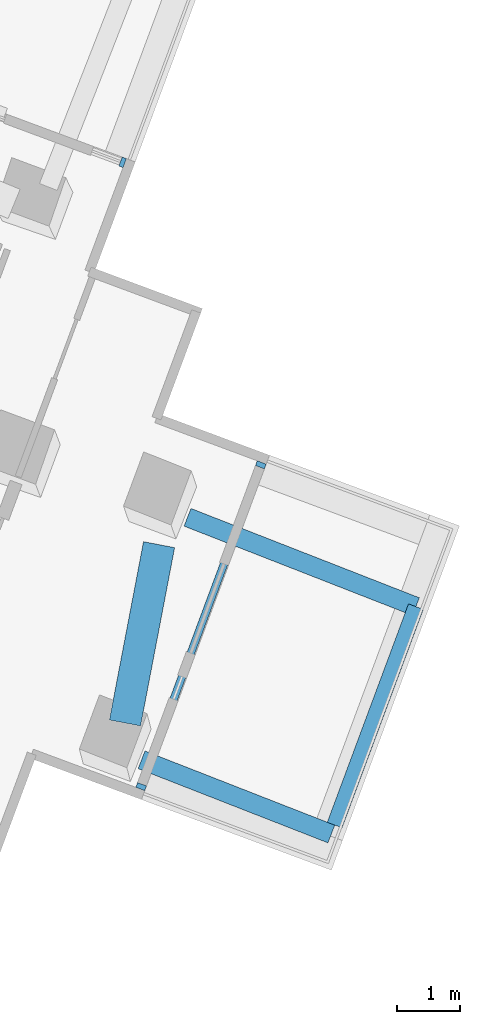
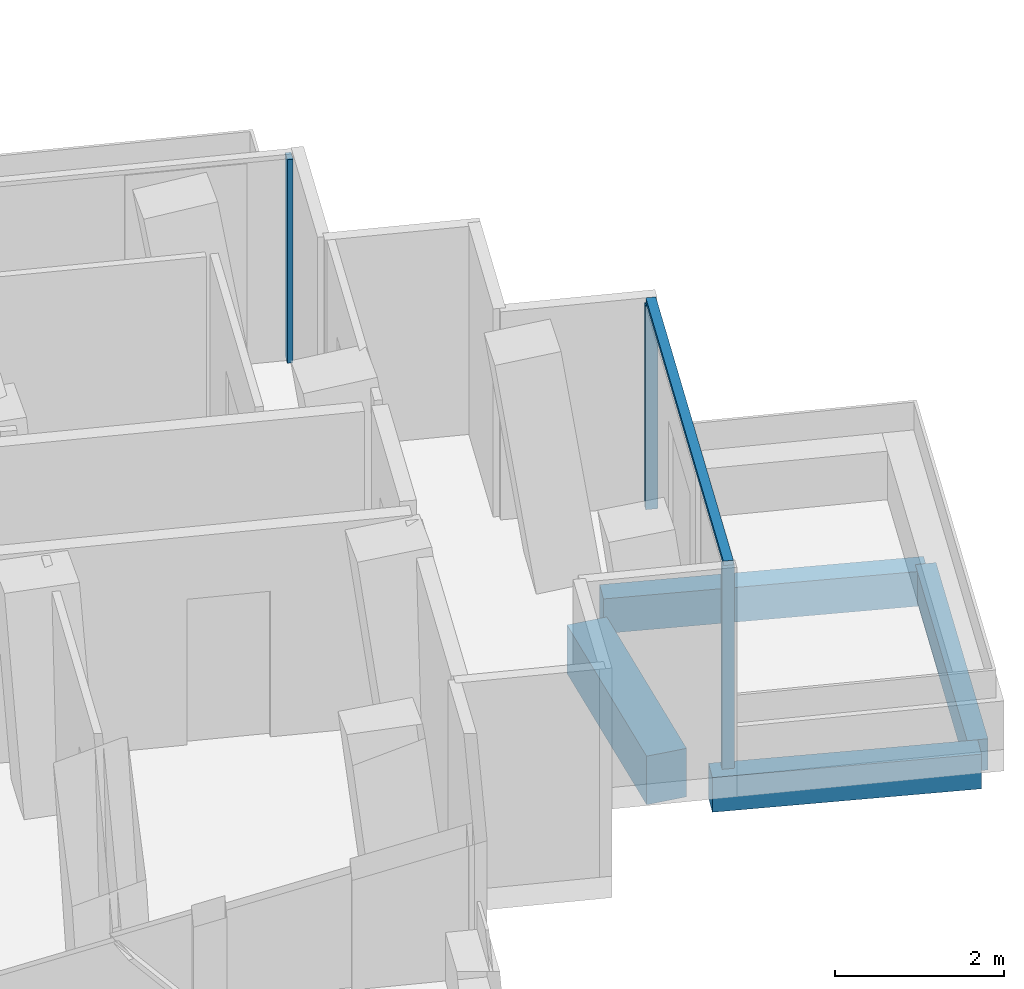
# One storey, part 11 of 27: 4 beams, 4 members, 2 elements without a shape of their own.
"""IFC4 building model written with IfcOpenShell, lengths in metres."""

import ifcopenshell
import ifcopenshell.guid

model = None  # the IFC model being written
_history = None  # IfcOwnerHistory: only IFC2X3 demands one
_inside = {}  # id of a spatial element -> (the spatial element, [elements in it])
_under = {}  # id of a project, library or spatial element -> (it, [spatial elements below it])
_declared = {}  # id of a project -> (the project, [libraries it declares])
_typed = {}  # id of a type object -> (the type object, [elements of that type])
_made_of = {}  # id of a material, layer set ... -> (it, [elements and type objects made of it])


def new_model(schema):
    """Start an empty IFC model of exactly this schema.

    Asked for "IFC4X3", IfcOpenShell would pick the latest addendum, in which some entities
    have other attributes; the version numbers below select the first issue.
    IFC2X3 requires an IfcOwnerHistory on every rooted entity: one is made here for all.
    """
    global model, _history
    if schema == "IFC4X3":
        model = ifcopenshell.file(schema_version=(4, 3, 0, 0))
    else:
        model = ifcopenshell.file(schema=schema)
    _inside.clear()
    _under.clear()
    _declared.clear()
    _typed.clear()
    _made_of.clear()
    _history = None
    if model.schema == "IFC2X3":
        org = make("IfcOrganization", Name="unknown")
        user = make(
            "IfcPersonAndOrganization",
            ThePerson=make("IfcPerson", FamilyName="unknown"),
            TheOrganization=org,
        )
        app = make(
            "IfcApplication",
            ApplicationDeveloper=org,
            Version="unknown",
            ApplicationFullName="unknown",
            ApplicationIdentifier="unknown",
        )
        _history = make(
            "IfcOwnerHistory",
            OwningUser=user,
            OwningApplication=app,
            ChangeAction="ADDED",
            CreationDate=0,
        )
    return model


def make(cls, **values):
    """One entity of the class cls with the attributes given. An attribute that is None is left unset."""
    return model.create_entity(
        cls, **{name: value for name, value in values.items() if value is not None}
    )


def rooted(cls, **values):
    """An entity with a GlobalId (a new one), such as an element, a storey or a relation."""
    return make(cls, GlobalId=ifcopenshell.guid.new(), OwnerHistory=_history, **values)


def si_unit(unit_type, name, prefix=None):
    """IfcSIUnit, for example si_unit("LENGTHUNIT", "METRE", prefix="MILLI")."""
    return make("IfcSIUnit", UnitType=unit_type, Prefix=prefix, Name=name)


def assignment(units):
    """IfcUnitAssignment: the units of a project."""
    return None if units is None else make("IfcUnitAssignment", Units=units)


def point(xyz):
    """IfcCartesianPoint."""
    return None if xyz is None else make("IfcCartesianPoint", Coordinates=xyz)


def direction(xyz):
    """IfcDirection."""
    return None if xyz is None else make("IfcDirection", DirectionRatios=xyz)


def frame(location, z_axis=None, x_axis=None):
    """IfcAxis2Placement3D, a coordinate frame: its origin and axes. An axis left out is left unset."""
    return make(
        "IfcAxis2Placement3D",
        Location=point(location),
        Axis=direction(z_axis),
        RefDirection=direction(x_axis),
    )


def frame_2d(location, x_axis=None):
    """IfcAxis2Placement2D, a coordinate frame in the plane: its origin and x axis."""
    return make(
        "IfcAxis2Placement2D", Location=point(location), RefDirection=direction(x_axis)
    )


def origin():
    """The frame at (0, 0, 0) with its axes left unset."""
    return frame((0.0, 0.0, 0.0))


def origin_2d():
    """The frame at (0, 0) in the plane with its x axis left unset."""
    return frame_2d((0.0, 0.0))


def place(relative_to, where):
    """IfcLocalPlacement: puts the frame where relative to a parent placement (None: the world)."""
    return make(
        "IfcLocalPlacement", PlacementRelTo=relative_to, RelativePlacement=where
    )


def context(
    kind, dimensions, precision=None, world=None, true_north=None, identifier=None
):
    """IfcGeometricRepresentationContext, for example the 3D "Model" context."""
    return make(
        "IfcGeometricRepresentationContext",
        ContextIdentifier=identifier,
        ContextType=kind,
        CoordinateSpaceDimension=dimensions,
        Precision=precision,
        WorldCoordinateSystem=world,
        TrueNorth=true_north,
    )


def subcontext(parent, identifier, kind, view, scale=None):
    """IfcGeometricRepresentationSubContext, for example "Body" below "Model"."""
    return make(
        "IfcGeometricRepresentationSubContext",
        ContextIdentifier=identifier,
        ContextType=kind,
        ParentContext=parent,
        TargetScale=scale,
        TargetView=view,
    )


def project(units=None, contexts=None):
    """IfcProject with its units and contexts."""
    return rooted(
        "IfcProject",
        Name="project",
        RepresentationContexts=contexts,
        UnitsInContext=assignment(units),
    )


def spatial(cls, under=None, at=None, **own):
    """A site, building, storey or space (cls), placed at a placement, below another one or the project."""
    s = rooted(cls, ObjectPlacement=at, **own)
    if under is not None:
        _under.setdefault(under.id(), (under, []))[1].append(s)
    return s


def profile(cls, at=None, kind="AREA", **sizes):
    """A parametric profile (cls). Its sizes go by their IFC names, for example OverallWidth=200.0."""
    return make(cls, ProfileType=kind, Position=at, **sizes)


def rectangle(**sizes):
    """IfcRectangleProfileDef."""
    return profile("IfcRectangleProfileDef", **sizes)


def extrude(swept, where, along, depth):
    """IfcExtrudedAreaSolid: the profile swept, set in the frame where, extruded along a direction by depth."""
    return make(
        "IfcExtrudedAreaSolid",
        SweptArea=swept,
        Position=where,
        ExtrudedDirection=direction(along),
        Depth=depth,
    )


def shape(context_of_items, identifier, shape_type, items):
    """IfcShapeRepresentation: the items that make up one representation, for example the "Body"."""
    return make(
        "IfcShapeRepresentation",
        ContextOfItems=context_of_items,
        RepresentationIdentifier=identifier,
        RepresentationType=shape_type,
        Items=items,
    )


def material(Name=None, Category=None):
    """IfcMaterial."""
    return make("IfcMaterial", Name=Name, Category=Category)


def layer(
    of_material, thickness, ventilated=None, Name=None, Category=None, Priority=None
):
    """IfcMaterialLayer: one layer of a wall or slab, of a material (None: an air gap)."""
    return make(
        "IfcMaterialLayer",
        Material=of_material,
        LayerThickness=thickness,
        IsVentilated=ventilated,
        Name=Name,
        Category=Category,
        Priority=Priority,
    )


def layer_set(layers, Name=None):
    """IfcMaterialLayerSet."""
    return make("IfcMaterialLayerSet", MaterialLayers=layers, LayerSetName=Name)


def material_profile(
    of_material, cross_section, Name=None, Category=None, Priority=None
):
    """IfcMaterialProfile: a cross section and its material."""
    return make(
        "IfcMaterialProfile",
        Name=Name,
        Material=of_material,
        Profile=cross_section,
        Priority=Priority,
        Category=Category,
    )


def profile_set(profiles, Name=None, composite=None):
    """IfcMaterialProfileSet."""
    return make(
        "IfcMaterialProfileSet",
        Name=Name,
        MaterialProfiles=profiles,
        CompositeProfile=composite,
    )


def made_of(thing, what):
    """Note that an element or type object is made of a material, layer set ...; save() writes the relation."""
    if what is not None:
        _made_of.setdefault(what.id(), (what, []))[1].append(thing)
    return thing


def type_object(cls, material=None, **own):
    """A type object (cls), such as IfcWallType, which elements share."""
    return made_of(rooted(cls, **own), material)


def element(
    cls,
    number,
    at=None,
    inside=None,
    cuts=None,
    type_object=None,
    material=None,
    context=None,
    identifier="Body",
    shape_type=None,
    held_by="IfcProductDefinitionShape",
    body=None,
    shapes=None,
    **own,
):
    """One element of the class cls, such as IfcWall. Its Tag is "e" and its number.

    at: its placement. inside: the storey or other place that contains it. cuts: it is an
    opening in that element (IfcRelVoidsElement). A single representation is given by context,
    identifier, shape_type and body (its items); several are given by shapes. held_by: the class
    of the entity that holds the representations. save() writes the other relations.
    """
    e = rooted(cls, Tag="e%d" % number, ObjectPlacement=at, **own)
    if body is not None:
        shapes = [shape(context, identifier, shape_type, body)]
    if shapes is not None:
        e.Representation = make(held_by, Representations=shapes)
    if inside is not None:
        _inside.setdefault(inside.id(), (inside, []))[1].append(e)
    if cuts is not None:
        rooted(
            "IfcRelVoidsElement", RelatingBuildingElement=cuts, RelatedOpeningElement=e
        )
    if type_object is not None:
        _typed.setdefault(type_object.id(), (type_object, []))[1].append(e)
    return made_of(e, material)


def aggregate(whole, parts):
    """IfcRelAggregates: a whole, such as a stair, and the parts it consists of."""
    return rooted("IfcRelAggregates", RelatingObject=whole, RelatedObjects=parts)


def save(model, path):
    """Write the relations noted so far, then the file.

    IfcRelAggregates (storeys below a building ...), IfcRelContainedInSpatialStructure (elements
    in a storey), IfcRelDefinesByType, IfcRelAssociatesMaterial and IfcRelDeclares: one each for
    every whole, place, type object, material and project.
    """
    for whole, parts in _under.values():
        aggregate(whole, parts)
    for where, things in _inside.values():
        rooted(
            "IfcRelContainedInSpatialStructure",
            RelatedElements=things,
            RelatingStructure=where,
        )
    for kind, things in _typed.values():
        rooted("IfcRelDefinesByType", RelatedObjects=things, RelatingType=kind)
    for what, things in _made_of.values():
        rooted("IfcRelAssociatesMaterial", RelatedObjects=things, RelatingMaterial=what)
    for by, libraries in _declared.values():
        rooted("IfcRelDeclares", RelatingContext=by, RelatedDefinitions=libraries)
    model.write(path)


model = new_model("IFC4")

# Units and contexts
model_context = context("Model", 3, precision=1e-05, world=origin(), true_north=direction((0.0, 1.0)))
body_context = subcontext(model_context, "Body", "Model", "MODEL_VIEW")
ifc_project = project(units=[si_unit("LENGTHUNIT", "METRE"), si_unit("AREAUNIT", "SQUARE_METRE"), si_unit("VOLUMEUNIT", "CUBIC_METRE"), si_unit("PLANEANGLEUNIT", "RADIAN"), si_unit("MASSUNIT", "GRAM", prefix="KILO")], contexts=[model_context])

# Site, building, storey
site_placement = place(None, origin())
site = spatial("IfcSite", under=ifc_project, at=site_placement, CompositionType="ELEMENT")
building_placement = place(site_placement, origin())
building = spatial("IfcBuilding", under=site, at=building_placement, Name="Verdalira Terraces Hotel", CompositionType="ELEMENT")
storey_placement = place(building_placement, frame((0.0, 0.0, 71.5)))
storey = spatial("IfcBuildingStorey", under=building, at=storey_placement, Name="L16", CompositionType="ELEMENT", Elevation=71.5)

# Beams
ifc_material_1 = material(Name="Concrete C40", Category="concrete")
ifc_material_profile_1 = material_profile(ifc_material_1, rectangle(XDim=0.300049, YDim=0.5, at=origin_2d()), Name="RC 300X500")
ifc_profile_set_1 = profile_set([ifc_material_profile_1], Name="Concrete C40")
beam_type_1 = type_object("IfcBeamType", Name="Balcony cantilever beam RC 300X500 C40", PredefinedType="BEAM", material=ifc_profile_set_1)
beam_1_placement = place(storey_placement, frame((33.369141, -14.875244, -0.560059), z_axis=(0.931306581, -0.364236258, 0.0), x_axis=(0.364236258, 0.931306581, 0.0)))
element("IfcBeam", 1, at=beam_1_placement, inside=storey, type_object=beam_type_1, Name="Balcony cantilever beam R33-1", PredefinedType="BEAM", context=body_context, shape_type="SweptSolid", body=[
    extrude(rectangle(XDim=0.300049, YDim=0.5, at=origin_2d()), origin(), (0.0, 0.0, 1.0), 3.217285),
])
beam_2_placement = place(storey_placement, frame((34.094482, -11.047119, -0.560059), z_axis=(0.931319045, -0.364204388, 0.0), x_axis=(0.364204388, 0.931319045, 0.0)))
element("IfcBeam", 2, at=beam_2_placement, inside=storey, type_object=beam_type_1, Name="Balcony cantilever beam R33-2", PredefinedType="BEAM", context=body_context, shape_type="SweptSolid", body=[
    extrude(rectangle(XDim=0.300049, YDim=0.5, at=origin_2d()), origin(), (0.0, 0.0, 1.0), 3.871826),
])
ifc_material_2 = material(Name="Concrete C40", Category="concrete")
ifc_material_profile_2 = material_profile(ifc_material_2, rectangle(XDim=0.25, YDim=0.449951, at=origin_2d()), Name="RC 250X450")
ifc_profile_set_2 = profile_set([ifc_material_profile_2], Name="Concrete C40")
beam_type_2 = type_object("IfcBeamType", Name="Balcony edge beam RC 250X450 C40", PredefinedType="BEAM", material=ifc_profile_set_2)
beam_3_placement = place(storey_placement, frame((36.417725, -15.906494, -0.534912), z_axis=(0.348562949, 0.937285373, 0.0), x_axis=(-0.937285373, 0.348562949, 0.0)))
element("IfcBeam", 3, at=beam_3_placement, inside=storey, type_object=beam_type_2, Name="Balcony edge beam R33-1", PredefinedType="BEAM", context=body_context, shape_type="SweptSolid", body=[
    extrude(rectangle(XDim=0.25, YDim=0.449951, at=origin_2d()), origin(), (0.0, 0.0, 1.0), 3.679932),
])

# Curtain wall, member
ifc_material_3 = material(Name="Clear glass", Category="glass")
ifc_layer_1 = layer(ifc_material_3, 0.14990234375)
ifc_layer_set_1 = layer_set([ifc_layer_1], Name="CW2 curtain wall")
curtain_wall_type_1 = type_object("IfcCurtainWallType", Name="CW2 curtain wall", PredefinedType="NOTDEFINED", material=ifc_layer_set_1)
curtain_wall_1_placement = place(storey_placement, origin())
curtain_wall_1 = element("IfcCurtainWall", 4, at=curtain_wall_1_placement, inside=storey, type_object=curtain_wall_type_1, Name="CW2 curtain wall L16 edge 38", PredefinedType="NOTDEFINED")
ifc_material_4 = material(Name="Terracotta frame", Category="masonry")
ifc_material_profile_3 = material_profile(ifc_material_4, rectangle(XDim=0.070068, YDim=0.149902, at=origin_2d()), Name="MU 70x150")
ifc_profile_set_3 = profile_set([ifc_material_profile_3], Name="Terracotta frame")
member_type_1 = type_object("IfcMemberType", Name="CW2 mullion 70x150", PredefinedType="MULLION", material=ifc_profile_set_3)
member_1_placement = place(storey_placement, frame((33.069824, -5.443604, 0.0), z_axis=(0.0, 0.0, 1.0), x_axis=(-0.937281989, 0.348572047, 0.0)))
member_1 = element("IfcMember", 5, at=member_1_placement, type_object=member_type_1, Name="CW2 mullion", PredefinedType="MULLION", context=body_context, shape_type="SweptSolid", body=[
    extrude(rectangle(XDim=0.070068, YDim=0.149902, at=origin_2d()), origin(), (0.0, 0.0, 1.0), 2.935059),
])
aggregate(curtain_wall_1, [member_1])

# Curtain wall, members
ifc_material_5 = material(Name="Clear glass", Category="glass")
ifc_layer_2 = layer(ifc_material_5, 0.14990234375)
ifc_layer_set_2 = layer_set([ifc_layer_2], Name="CW3 curtain wall")
curtain_wall_type_2 = type_object("IfcCurtainWallType", Name="CW3 curtain wall", PredefinedType="NOTDEFINED", material=ifc_layer_set_2)
curtain_wall_2_placement = place(storey_placement, origin())
curtain_wall_2 = element("IfcCurtainWall", 6, at=curtain_wall_2_placement, inside=storey, type_object=curtain_wall_type_2, Name="CW3 curtain wall L16 edge 33", PredefinedType="NOTDEFINED")
ifc_material_6 = material(Name="Terracotta frame", Category="masonry")
ifc_material_profile_4 = material_profile(ifc_material_6, rectangle(XDim=0.080078, YDim=0.149902, at=origin_2d()), Name="MU 80x150")
ifc_profile_set_4 = profile_set([ifc_material_profile_4], Name="Terracotta frame")
member_type_2 = type_object("IfcMemberType", Name="CW3 mullion 80x150", PredefinedType="MULLION", material=ifc_profile_set_4)
member_2_placement = place(storey_placement, frame((33.362793, -15.298828, 0.0), z_axis=(0.0, 0.0, 1.0), x_axis=(0.348572047, 0.937281989, 0.0)))
member_2 = element("IfcMember", 7, at=member_2_placement, type_object=member_type_2, Name="CW3 mullion", PredefinedType="MULLION", context=body_context, shape_type="SweptSolid", body=[
    extrude(rectangle(XDim=0.080078, YDim=0.149902, at=origin_2d()), origin(), (0.0, 0.0, 1.0), 2.935059),
])
member_3_placement = place(storey_placement, frame((35.251953, -10.21875, 0.0), z_axis=(0.0, 0.0, 1.0), x_axis=(0.348572047, 0.937281989, 0.0)))
member_3 = element("IfcMember", 8, at=member_3_placement, type_object=member_type_2, Name="CW3 mullion", PredefinedType="MULLION", context=body_context, shape_type="SweptSolid", body=[
    extrude(rectangle(XDim=0.080078, YDim=0.149902, at=origin_2d()), origin(), (0.0, 0.0, 1.0), 2.935059),
])
ifc_material_7 = material(Name="Terracotta frame", Category="masonry")
ifc_material_profile_5 = material_profile(ifc_material_7, rectangle(XDim=0.120117, YDim=0.064941, at=origin_2d()), Name="TR 65x120")
ifc_profile_set_5 = profile_set([ifc_material_profile_5], Name="Terracotta frame")
member_type_3 = type_object("IfcMemberType", Name="CW3 transom 65x120", PredefinedType="USERDEFINED", material=ifc_profile_set_5)
member_4_placement = place(storey_placement, frame((33.348877, -15.336426, 2.967529), z_axis=(0.348587719, 0.937276161, 0.0), x_axis=(-0.937276161, 0.348587719, 0.0)))
member_4 = element("IfcMember", 9, at=member_4_placement, type_object=member_type_3, Name="CW3 transom", ObjectType="TRANSOM", PredefinedType="USERDEFINED", context=body_context, shape_type="SweptSolid", body=[
    extrude(rectangle(XDim=0.120117, YDim=0.064941, at=origin_2d()), origin(), (0.0, 0.0, 1.0), 5.5),
])
aggregate(curtain_wall_2, [member_2, member_3, member_4])

# Beam
ifc_material_8 = material(Name="Concrete C70", Category="concrete")
ifc_material_profile_6 = material_profile(ifc_material_8, rectangle(XDim=0.5, YDim=0.699951, at=origin_2d()), Name="RC 500X700")
ifc_profile_set_6 = profile_set([ifc_material_profile_6], Name="Concrete C70")
beam_type_3 = type_object("IfcBeamType", Name="Spandrel beam RC 500X700 C70", PredefinedType="SPANDREL", material=ifc_profile_set_6)
beam_4_placement = place(storey_placement, frame((33.107422, -14.293457, -0.659912), z_axis=(0.187801194, 0.982207061, 0.0), x_axis=(-0.982207061, 0.187801194, 0.0)))
element("IfcBeam", 10, at=beam_4_placement, inside=storey, type_object=beam_type_3, Name="Spandrel beam B27", PredefinedType="SPANDREL", context=body_context, shape_type="SweptSolid", body=[
    extrude(rectangle(XDim=0.5, YDim=0.699951, at=origin_2d()), origin(), (0.0, 0.0, 1.0), 2.865234),
])

save(model, "model.ifc")
